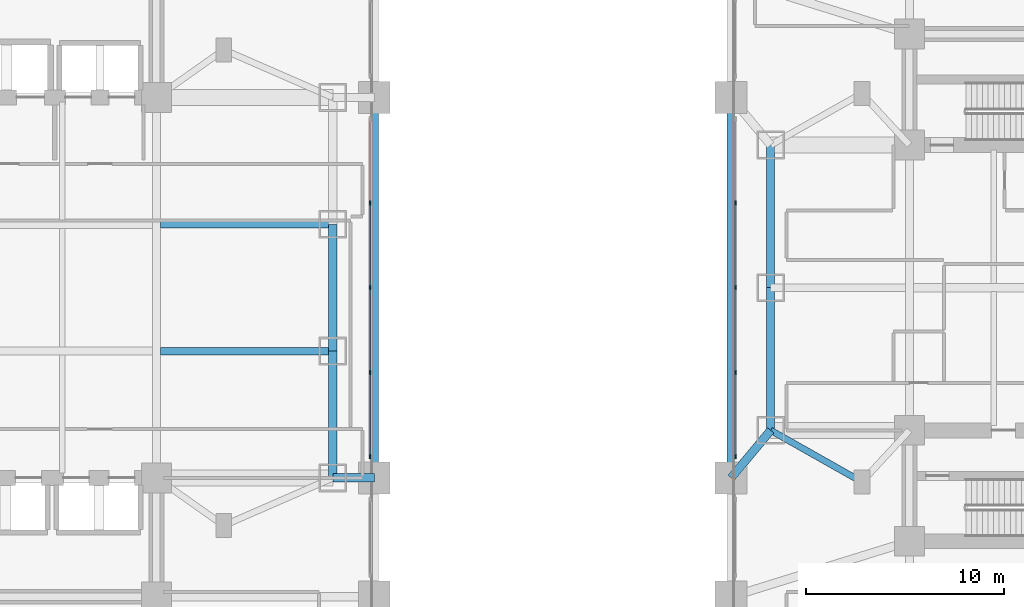
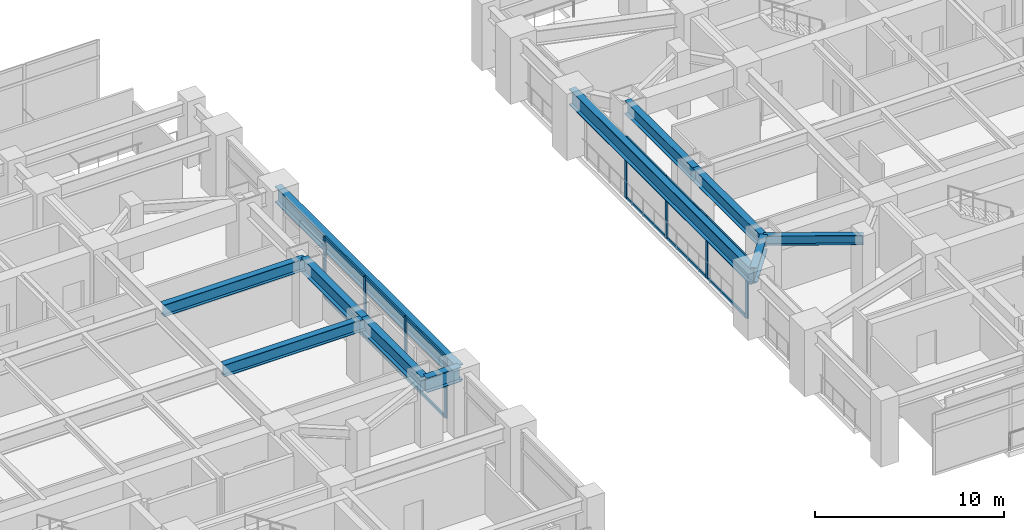
# One storey, part 5 of 31: 20 members, 11 beams, 2 elements without a shape of their own.
"""IFC4 building model written with IfcOpenShell, lengths in metres."""

import ifcopenshell
import ifcopenshell.guid

model = None  # the IFC model being written
_history = None  # IfcOwnerHistory: only IFC2X3 demands one
_inside = {}  # id of a spatial element -> (the spatial element, [elements in it])
_under = {}  # id of a project, library or spatial element -> (it, [spatial elements below it])
_declared = {}  # id of a project -> (the project, [libraries it declares])
_typed = {}  # id of a type object -> (the type object, [elements of that type])
_made_of = {}  # id of a material, layer set ... -> (it, [elements and type objects made of it])


def new_model(schema):
    """Start an empty IFC model of exactly this schema.

    Asked for "IFC4X3", IfcOpenShell would pick the latest addendum, in which some entities
    have other attributes; the version numbers below select the first issue.
    IFC2X3 requires an IfcOwnerHistory on every rooted entity: one is made here for all.
    """
    global model, _history
    if schema == "IFC4X3":
        model = ifcopenshell.file(schema_version=(4, 3, 0, 0))
    else:
        model = ifcopenshell.file(schema=schema)
    _inside.clear()
    _under.clear()
    _declared.clear()
    _typed.clear()
    _made_of.clear()
    _history = None
    if model.schema == "IFC2X3":
        org = make("IfcOrganization", Name="unknown")
        user = make(
            "IfcPersonAndOrganization",
            ThePerson=make("IfcPerson", FamilyName="unknown"),
            TheOrganization=org,
        )
        app = make(
            "IfcApplication",
            ApplicationDeveloper=org,
            Version="unknown",
            ApplicationFullName="unknown",
            ApplicationIdentifier="unknown",
        )
        _history = make(
            "IfcOwnerHistory",
            OwningUser=user,
            OwningApplication=app,
            ChangeAction="ADDED",
            CreationDate=0,
        )
    return model


def make(cls, **values):
    """One entity of the class cls with the attributes given. An attribute that is None is left unset."""
    return model.create_entity(
        cls, **{name: value for name, value in values.items() if value is not None}
    )


def rooted(cls, **values):
    """An entity with a GlobalId (a new one), such as an element, a storey or a relation."""
    return make(cls, GlobalId=ifcopenshell.guid.new(), OwnerHistory=_history, **values)


def si_unit(unit_type, name, prefix=None):
    """IfcSIUnit, for example si_unit("LENGTHUNIT", "METRE", prefix="MILLI")."""
    return make("IfcSIUnit", UnitType=unit_type, Prefix=prefix, Name=name)


def assignment(units):
    """IfcUnitAssignment: the units of a project."""
    return None if units is None else make("IfcUnitAssignment", Units=units)


def point(xyz):
    """IfcCartesianPoint."""
    return None if xyz is None else make("IfcCartesianPoint", Coordinates=xyz)


def direction(xyz):
    """IfcDirection."""
    return None if xyz is None else make("IfcDirection", DirectionRatios=xyz)


def frame(location, z_axis=None, x_axis=None):
    """IfcAxis2Placement3D, a coordinate frame: its origin and axes. An axis left out is left unset."""
    return make(
        "IfcAxis2Placement3D",
        Location=point(location),
        Axis=direction(z_axis),
        RefDirection=direction(x_axis),
    )


def frame_2d(location, x_axis=None):
    """IfcAxis2Placement2D, a coordinate frame in the plane: its origin and x axis."""
    return make(
        "IfcAxis2Placement2D", Location=point(location), RefDirection=direction(x_axis)
    )


def origin():
    """The frame at (0, 0, 0) with its axes left unset."""
    return frame((0.0, 0.0, 0.0))


def origin_2d():
    """The frame at (0, 0) in the plane with its x axis left unset."""
    return frame_2d((0.0, 0.0))


def place(relative_to, where):
    """IfcLocalPlacement: puts the frame where relative to a parent placement (None: the world)."""
    return make(
        "IfcLocalPlacement", PlacementRelTo=relative_to, RelativePlacement=where
    )


def context(
    kind, dimensions, precision=None, world=None, true_north=None, identifier=None
):
    """IfcGeometricRepresentationContext, for example the 3D "Model" context."""
    return make(
        "IfcGeometricRepresentationContext",
        ContextIdentifier=identifier,
        ContextType=kind,
        CoordinateSpaceDimension=dimensions,
        Precision=precision,
        WorldCoordinateSystem=world,
        TrueNorth=true_north,
    )


def subcontext(parent, identifier, kind, view, scale=None):
    """IfcGeometricRepresentationSubContext, for example "Body" below "Model"."""
    return make(
        "IfcGeometricRepresentationSubContext",
        ContextIdentifier=identifier,
        ContextType=kind,
        ParentContext=parent,
        TargetScale=scale,
        TargetView=view,
    )


def project(units=None, contexts=None):
    """IfcProject with its units and contexts."""
    return rooted(
        "IfcProject",
        Name="project",
        RepresentationContexts=contexts,
        UnitsInContext=assignment(units),
    )


def spatial(cls, under=None, at=None, **own):
    """A site, building, storey or space (cls), placed at a placement, below another one or the project."""
    s = rooted(cls, ObjectPlacement=at, **own)
    if under is not None:
        _under.setdefault(under.id(), (under, []))[1].append(s)
    return s


def profile(cls, at=None, kind="AREA", **sizes):
    """A parametric profile (cls). Its sizes go by their IFC names, for example OverallWidth=200.0."""
    return make(cls, ProfileType=kind, Position=at, **sizes)


def rectangle(**sizes):
    """IfcRectangleProfileDef."""
    return profile("IfcRectangleProfileDef", **sizes)


def i_section(**sizes):
    """IfcIShapeProfileDef."""
    return profile("IfcIShapeProfileDef", **sizes)


def extrude(swept, where, along, depth):
    """IfcExtrudedAreaSolid: the profile swept, set in the frame where, extruded along a direction by depth."""
    return make(
        "IfcExtrudedAreaSolid",
        SweptArea=swept,
        Position=where,
        ExtrudedDirection=direction(along),
        Depth=depth,
    )


def shape(context_of_items, identifier, shape_type, items):
    """IfcShapeRepresentation: the items that make up one representation, for example the "Body"."""
    return make(
        "IfcShapeRepresentation",
        ContextOfItems=context_of_items,
        RepresentationIdentifier=identifier,
        RepresentationType=shape_type,
        Items=items,
    )


def material(Name=None, Category=None):
    """IfcMaterial."""
    return make("IfcMaterial", Name=Name, Category=Category)


def material_profile(
    of_material, cross_section, Name=None, Category=None, Priority=None
):
    """IfcMaterialProfile: a cross section and its material."""
    return make(
        "IfcMaterialProfile",
        Name=Name,
        Material=of_material,
        Profile=cross_section,
        Priority=Priority,
        Category=Category,
    )


def profile_set(profiles, Name=None, composite=None):
    """IfcMaterialProfileSet."""
    return make(
        "IfcMaterialProfileSet",
        Name=Name,
        MaterialProfiles=profiles,
        CompositeProfile=composite,
    )


def made_of(thing, what):
    """Note that an element or type object is made of a material, layer set ...; save() writes the relation."""
    if what is not None:
        _made_of.setdefault(what.id(), (what, []))[1].append(thing)
    return thing


def type_object(cls, material=None, **own):
    """A type object (cls), such as IfcWallType, which elements share."""
    return made_of(rooted(cls, **own), material)


def element(
    cls,
    number,
    at=None,
    inside=None,
    cuts=None,
    type_object=None,
    material=None,
    context=None,
    identifier="Body",
    shape_type=None,
    held_by="IfcProductDefinitionShape",
    body=None,
    shapes=None,
    **own,
):
    """One element of the class cls, such as IfcWall. Its Tag is "e" and its number.

    at: its placement. inside: the storey or other place that contains it. cuts: it is an
    opening in that element (IfcRelVoidsElement). A single representation is given by context,
    identifier, shape_type and body (its items); several are given by shapes. held_by: the class
    of the entity that holds the representations. save() writes the other relations.
    """
    e = rooted(cls, Tag="e%d" % number, ObjectPlacement=at, **own)
    if body is not None:
        shapes = [shape(context, identifier, shape_type, body)]
    if shapes is not None:
        e.Representation = make(held_by, Representations=shapes)
    if inside is not None:
        _inside.setdefault(inside.id(), (inside, []))[1].append(e)
    if cuts is not None:
        rooted(
            "IfcRelVoidsElement", RelatingBuildingElement=cuts, RelatedOpeningElement=e
        )
    if type_object is not None:
        _typed.setdefault(type_object.id(), (type_object, []))[1].append(e)
    return made_of(e, material)


def aggregate(whole, parts):
    """IfcRelAggregates: a whole, such as a stair, and the parts it consists of."""
    return rooted("IfcRelAggregates", RelatingObject=whole, RelatedObjects=parts)


def save(model, path):
    """Write the relations noted so far, then the file.

    IfcRelAggregates (storeys below a building ...), IfcRelContainedInSpatialStructure (elements
    in a storey), IfcRelDefinesByType, IfcRelAssociatesMaterial and IfcRelDeclares: one each for
    every whole, place, type object, material and project.
    """
    for whole, parts in _under.values():
        aggregate(whole, parts)
    for where, things in _inside.values():
        rooted(
            "IfcRelContainedInSpatialStructure",
            RelatedElements=things,
            RelatingStructure=where,
        )
    for kind, things in _typed.values():
        rooted("IfcRelDefinesByType", RelatedObjects=things, RelatingType=kind)
    for what, things in _made_of.values():
        rooted("IfcRelAssociatesMaterial", RelatedObjects=things, RelatingMaterial=what)
    for by, libraries in _declared.values():
        rooted("IfcRelDeclares", RelatingContext=by, RelatedDefinitions=libraries)
    model.write(path)


model = new_model("IFC4")

# Units and contexts
model_context = context("Model", 3, precision=1e-05, world=origin(), true_north=direction((0.0, 1.0)))
body_context = subcontext(model_context, "Body", "Model", "MODEL_VIEW")
ifc_project = project(units=[si_unit("LENGTHUNIT", "METRE"), si_unit("AREAUNIT", "SQUARE_METRE"), si_unit("VOLUMEUNIT", "CUBIC_METRE"), si_unit("PLANEANGLEUNIT", "RADIAN"), si_unit("MASSUNIT", "GRAM", prefix="KILO")], contexts=[model_context])

# Site, building, storey
site_placement = place(None, origin())
site = spatial("IfcSite", under=ifc_project, at=site_placement, CompositionType="ELEMENT")
building_placement = place(site_placement, origin())
building = spatial("IfcBuilding", under=site, at=building_placement, Name="Mirazonda Arch Towers", CompositionType="ELEMENT")
storey_placement = place(building_placement, frame((0.0, 0.0, 5.199951171875)))
storey = spatial("IfcBuildingStorey", under=building, at=storey_placement, Name="L01", CompositionType="ELEMENT", Elevation=5.199951171875)

# Beams
ifc_material_1 = material(Name="Steel ASTM A992 Grade 50", Category="steel")
ifc_material_profile_1 = material_profile(ifc_material_1, i_section(OverallWidth=0.39990234375, OverallDepth=0.85595703125, WebThickness=0.018310546875, FlangeThickness=0.029296875, at=origin_2d()), Name="W33X201")
ifc_profile_set_1 = profile_set([ifc_material_profile_1], Name="Steel ASTM A992 Grade 50")
beam_type_1 = type_object("IfcBeamType", Name="BM-EXT-W33X201", PredefinedType="USERDEFINED", material=ifc_profile_set_1)
for number, where, z_axis, x_axis, name in (
    (1, (61.0, 20.800048828125, 3.552001953125), (0.0, 1.0, 0.0), (-1.0, 0.0, 0.0), "L01 Floor Beam BM-T2-L01-NS-W-20"),
    (2, (61.0, 28.0, 3.552001953125), (0.0, 1.0, 0.0), (-1.0, 0.0, 0.0), "L01 Floor Beam BM-T2-L01-NS-W-28"),
):
    element("IfcBeam", number, at=place(storey_placement, frame(where, z_axis=z_axis, x_axis=x_axis)), inside=storey, type_object=beam_type_1, Name=name, ObjectType="GIRDER", PredefinedType="USERDEFINED", context=body_context, shape_type="SweptSolid", body=[
        extrude(i_section(OverallWidth=0.39990234375, OverallDepth=0.85595703125, WebThickness=0.018310546875, FlangeThickness=0.029296875, at=origin_2d()), origin(), (0.0, 0.0, 1.0), 7.199951171875),
    ])
ifc_material_profile_2 = material_profile(ifc_material_1, i_section(OverallWidth=0.41796875, OverallDepth=0.927001953125, WebThickness=0.019287109375, FlangeThickness=0.031982421875, at=origin_2d()), Name="W36X231")
ifc_profile_set_2 = profile_set([ifc_material_profile_2], Name="Steel ASTM A992 Grade 50")
beam_type_2 = type_object("IfcBeamType", Name="BM-EXT-W36X231", PredefinedType="USERDEFINED", material=ifc_profile_set_2)
beam_1_placement = place(storey_placement, frame((38.89990234375, 18.39990234375, 3.5166015625), z_axis=(0.0, 1.0, 0.0), x_axis=(-1.0, 0.0, 0.0)))
element("IfcBeam", 3, at=beam_1_placement, inside=storey, type_object=beam_type_2, Name="L01 Floor Beam BM-T1-L01-NS-E-18", ObjectType="GIRDER", PredefinedType="USERDEFINED", context=body_context, shape_type="SweptSolid", body=[
    extrude(i_section(OverallWidth=0.41796875, OverallDepth=0.927001953125, WebThickness=0.019287109375, FlangeThickness=0.031982421875, at=origin_2d()), origin(), (0.0, 0.0, 1.0), 6.400146484375),
])
beam_2_placement = place(storey_placement, frame((38.89990234375, 24.800048828125, 3.5166015625), z_axis=(0.0, 1.0, 0.0), x_axis=(-1.0, 0.0, 0.0)))
element("IfcBeam", 4, at=beam_2_placement, inside=storey, type_object=beam_type_2, Name="L01 Floor Beam BM-T1-L01-NS-E-24", ObjectType="GIRDER", PredefinedType="USERDEFINED", context=body_context, shape_type="SweptSolid", body=[
    extrude(i_section(OverallWidth=0.41796875, OverallDepth=0.927001953125, WebThickness=0.019287109375, FlangeThickness=0.031982421875, at=origin_2d()), origin(), (0.0, 0.0, 1.0), 6.39990234375),
])
ifc_material_profile_3 = material_profile(ifc_material_1, i_section(OverallWidth=0.419921875, OverallDepth=1.0400390625, WebThickness=0.031005859375, FlangeThickness=0.055908203125, at=origin_2d()), Name="W40X397")
ifc_profile_set_3 = profile_set([ifc_material_profile_3], Name="Steel ASTM A992 Grade 50")
beam_type_3 = type_object("IfcBeamType", Name="BM-EXT-W40X397", PredefinedType="USERDEFINED", material=ifc_profile_set_3)
for number, where, z_axis, x_axis, name in (
    (5, (41.0, 18.39990234375, 3.4599609375), (0.0, 1.0, 0.0), (-1.0, 0.0, 0.0), "L01 Floor Beam BM-POD-L01-PA-WL2"),
    (6, (59.0, 18.39990234375, 3.4599609375), (0.0, 1.0, 0.0), (-1.0, 0.0, 0.0), "L01 Floor Beam BM-POD-L01-PA-EL2"),
):
    element("IfcBeam", number, at=place(storey_placement, frame(where, z_axis=z_axis, x_axis=x_axis)), inside=storey, type_object=beam_type_3, Name=name, ObjectType="GIRDER", PredefinedType="USERDEFINED", context=body_context, shape_type="SweptSolid", body=[
        extrude(i_section(OverallWidth=0.419921875, OverallDepth=1.0400390625, WebThickness=0.031005859375, FlangeThickness=0.055908203125, at=origin_2d()), origin(), (0.0, 0.0, 1.0), 19.2001953125),
    ])
ifc_material_profile_4 = material_profile(ifc_material_1, i_section(OverallWidth=0.324951171875, OverallDepth=0.615966796875, WebThickness=0.013916015625, FlangeThickness=0.021484375, at=origin_2d()), Name="W24X117")
ifc_profile_set_4 = profile_set([ifc_material_profile_4], Name="Steel ASTM A992 Grade 50")
beam_type_4 = type_object("IfcBeamType", Name="BM-INT-W24X117", PredefinedType="BEAM", material=ifc_profile_set_4)
beam_3_placement = place(storey_placement, frame((65.60009765625, 18.199951171875, 3.672119140625), z_axis=(-0.870559396632, 0.492063346467, 0.0), x_axis=(-0.492063346467, -0.870559396632, 0.0)))
element("IfcBeam", 7, at=beam_3_placement, inside=storey, type_object=beam_type_4, Name="L01 Floor Beam BM-T2-L01-PL-SW2", PredefinedType="BEAM", context=body_context, shape_type="SweptSolid", body=[
    extrude(i_section(OverallWidth=0.324951171875, OverallDepth=0.615966796875, WebThickness=0.013916015625, FlangeThickness=0.021484375, at=origin_2d()), origin(), (0.0, 0.0, 1.0), 5.2841796875),
])
ifc_material_profile_5 = material_profile(ifc_material_1, i_section(OverallWidth=0.381103515625, OverallDepth=0.77294921875, WebThickness=0.0166015625, FlangeThickness=0.027099609375, at=origin_2d()), Name="W30X173")
ifc_profile_set_5 = profile_set([ifc_material_profile_5], Name="Steel ASTM A992 Grade 50")
beam_type_5 = type_object("IfcBeamType", Name="BM-INT-W30X173", PredefinedType="USERDEFINED", material=ifc_profile_set_5)
for number, where, z_axis, x_axis, name in (
    (8, (30.2099609375, 24.800048828125, 3.593505859375), (1.0, 0.0, 0.0), (0.0, 1.0, 0.0), "L01 Floor Beam BM-T1-L01-GE2"),
    (9, (30.2099609375, 31.199951171875, 3.593505859375), (1.0, 0.0, 0.0), (0.0, 1.0, 0.0), "L01 Floor Beam BM-T1-L01-GE3"),
):
    element("IfcBeam", number, at=place(storey_placement, frame(where, z_axis=z_axis, x_axis=x_axis)), inside=storey, type_object=beam_type_5, Name=name, ObjectType="GIRDER", PredefinedType="USERDEFINED", context=body_context, shape_type="SweptSolid", body=[
        extrude(i_section(OverallWidth=0.381103515625, OverallDepth=0.77294921875, WebThickness=0.0166015625, FlangeThickness=0.027099609375, at=origin_2d()), origin(), (0.0, 0.0, 1.0), 8.68994140625),
    ])
ifc_material_profile_6 = material_profile(ifc_material_1, i_section(OverallWidth=0.423095703125, OverallDepth=0.947998046875, WebThickness=0.02392578125, FlangeThickness=0.042724609375, at=origin_2d()), Name="W36X302")
ifc_profile_set_6 = profile_set([ifc_material_profile_6], Name="Steel ASTM A992 Grade 50")
beam_type_6 = type_object("IfcBeamType", Name="BM-INT-W36X302", PredefinedType="USERDEFINED", material=ifc_profile_set_6)
beam_4_placement = place(storey_placement, frame((38.89990234375, 18.39990234375, 3.506103515625), z_axis=(1.0, 0.0, 0.0), x_axis=(0.0, 1.0, 0.0)))
element("IfcBeam", 10, at=beam_4_placement, inside=storey, type_object=beam_type_6, Name="L01 Floor Beam BM-POD-L01-PA-W2", ObjectType="GIRDER", PredefinedType="USERDEFINED", context=body_context, shape_type="SweptSolid", body=[
    extrude(i_section(OverallWidth=0.423095703125, OverallDepth=0.947998046875, WebThickness=0.02392578125, FlangeThickness=0.042724609375, at=origin_2d()), origin(), (0.0, 0.0, 1.0), 2.10009765625),
])
beam_5_placement = place(storey_placement, frame((59.0, 18.39990234375, 3.506103515625), z_axis=(0.640161340286, 0.76824049516, 0.0), x_axis=(-0.76824049516, 0.640161340286, 0.0)))
element("IfcBeam", 11, at=beam_5_placement, inside=storey, type_object=beam_type_6, Name="L01 Floor Beam BM-POD-L01-PA-E2", ObjectType="GIRDER", PredefinedType="USERDEFINED", context=body_context, shape_type="SweptSolid", body=[
    extrude(i_section(OverallWidth=0.423095703125, OverallDepth=0.947998046875, WebThickness=0.02392578125, FlangeThickness=0.042724609375, at=origin_2d()), origin(), (0.0, 0.0, 1.0), 3.124267578125),
])

# Curtain wall, members
ifc_material_2 = material(Name="Anodised Aluminium and Low-E Glass", Category="aluminium")
curtain_wall_type = type_object("IfcCurtainWallType", Name="CW-ARCH-GLAZE", PredefinedType="NOTDEFINED", material=ifc_material_2)
curtain_wall_1_placement = place(storey_placement, origin())
curtain_wall_1 = element("IfcCurtainWall", 12, at=curtain_wall_1_placement, inside=storey, type_object=curtain_wall_type, Name="L01 Curtain Wall CW-L01-AW-S2", PredefinedType="NOTDEFINED")
ifc_material_3 = material(Name="Anodised Aluminium Alloy", Category="aluminium")
ifc_material_profile_7 = material_profile(ifc_material_3, rectangle(XDim=0.090087890625, YDim=0.219970703125, at=origin_2d()), Name="ALU-MULL-90x220")
ifc_profile_set_7 = profile_set([ifc_material_profile_7], Name="Anodised Aluminium Alloy")
member_type_1 = type_object("IfcMemberType", Name="MULL-CW-ARCH-GLAZE", PredefinedType="MULLION", material=ifc_profile_set_7)
member_1_placement = place(storey_placement, frame((40.780029296875, 32.280029296875, 0.0), z_axis=(0.0, 0.0, 1.0), x_axis=(1.0, 0.0, 0.0)))
member_1 = element("IfcMember", 13, at=member_1_placement, type_object=member_type_1, Name="CW-106 mullion 2", PredefinedType="MULLION", context=body_context, shape_type="SweptSolid", body=[
    extrude(rectangle(XDim=0.090087890625, YDim=0.219970703125, at=origin_2d()), origin(), (0.0, 0.0, 1.0), 3.9599609375),
])
member_2_placement = place(storey_placement, frame((40.780029296875, 28.0, 0.0), z_axis=(0.0, 0.0, 1.0), x_axis=(1.0, 0.0, 0.0)))
member_2 = element("IfcMember", 14, at=member_2_placement, type_object=member_type_1, Name="CW-106 mullion 3", PredefinedType="MULLION", context=body_context, shape_type="SweptSolid", body=[
    extrude(rectangle(XDim=0.090087890625, YDim=0.219970703125, at=origin_2d()), origin(), (0.0, 0.0, 1.0), 3.9599609375),
])
member_3_placement = place(storey_placement, frame((40.780029296875, 23.719970703125, 0.0), z_axis=(0.0, 0.0, 1.0), x_axis=(1.0, 0.0, 0.0)))
member_3 = element("IfcMember", 15, at=member_3_placement, type_object=member_type_1, Name="CW-106 mullion 4", PredefinedType="MULLION", context=body_context, shape_type="SweptSolid", body=[
    extrude(rectangle(XDim=0.090087890625, YDim=0.219970703125, at=origin_2d()), origin(), (0.0, 0.0, 1.0), 3.9599609375),
])
member_4_placement = place(storey_placement, frame((40.780029296875, 19.485107421875, 0.0), z_axis=(0.0, 0.0, 1.0), x_axis=(1.0, 0.0, 0.0)))
member_4 = element("IfcMember", 16, at=member_4_placement, type_object=member_type_1, Name="CW-106 mullion 5", PredefinedType="MULLION", context=body_context, shape_type="SweptSolid", body=[
    extrude(rectangle(XDim=0.090087890625, YDim=0.219970703125, at=origin_2d()), origin(), (0.0, 0.0, 1.0), 3.9599609375),
])

curtain_wall_2_placement = place(storey_placement, origin())
curtain_wall_2 = element("IfcCurtainWall", 17, at=curtain_wall_2_placement, inside=storey, type_object=curtain_wall_type, Name="L01 Curtain Wall CW-L01-AE-S3", PredefinedType="NOTDEFINED")
member_5_placement = place(storey_placement, frame((59.219970703125, 19.485107421875, 0.0), z_axis=(0.0, 0.0, 1.0), x_axis=(-1.0, 0.0, 0.0)))
member_5 = element("IfcMember", 18, at=member_5_placement, type_object=member_type_1, Name="CW-106 mullion 1", PredefinedType="MULLION", context=body_context, shape_type="SweptSolid", body=[
    extrude(rectangle(XDim=0.090087890625, YDim=0.219970703125, at=origin_2d()), origin(), (0.0, 0.0, 1.0), 3.9599609375),
])
member_6_placement = place(storey_placement, frame((59.219970703125, 23.719970703125, 0.0), z_axis=(0.0, 0.0, 1.0), x_axis=(-1.0, 0.0, 0.0)))
member_6 = element("IfcMember", 19, at=member_6_placement, type_object=member_type_1, Name="CW-106 mullion 2", PredefinedType="MULLION", context=body_context, shape_type="SweptSolid", body=[
    extrude(rectangle(XDim=0.090087890625, YDim=0.219970703125, at=origin_2d()), origin(), (0.0, 0.0, 1.0), 3.9599609375),
])
member_7_placement = place(storey_placement, frame((59.219970703125, 28.0, 0.0), z_axis=(0.0, 0.0, 1.0), x_axis=(-1.0, 0.0, 0.0)))
member_7 = element("IfcMember", 20, at=member_7_placement, type_object=member_type_1, Name="CW-106 mullion 3", PredefinedType="MULLION", context=body_context, shape_type="SweptSolid", body=[
    extrude(rectangle(XDim=0.090087890625, YDim=0.219970703125, at=origin_2d()), origin(), (0.0, 0.0, 1.0), 3.9599609375),
])
member_8_placement = place(storey_placement, frame((59.219970703125, 32.280029296875, 0.0), z_axis=(0.0, 0.0, 1.0), x_axis=(-1.0, 0.0, 0.0)))
member_8 = element("IfcMember", 21, at=member_8_placement, type_object=member_type_1, Name="CW-106 mullion 4", PredefinedType="MULLION", context=body_context, shape_type="SweptSolid", body=[
    extrude(rectangle(XDim=0.090087890625, YDim=0.219970703125, at=origin_2d()), origin(), (0.0, 0.0, 1.0), 3.9599609375),
])

# Member
ifc_material_profile_8 = material_profile(ifc_material_3, rectangle(XDim=0.090087890625, YDim=0.199951171875, at=origin_2d()), Name="ALU-TRAN-90x200")
ifc_profile_set_8 = profile_set([ifc_material_profile_8], Name="Anodised Aluminium Alloy")
member_type_2 = type_object("IfcMemberType", Name="TRAN-CW-ARCH-GLAZE", PredefinedType="USERDEFINED", material=ifc_profile_set_8)
member_9_placement = place(storey_placement, frame((40.780029296875, 32.235107421875, 0.045166015625), z_axis=(0.0, -1.0, 0.0), x_axis=(1.0, 0.0, 0.0)))
member_9 = element("IfcMember", 22, at=member_9_placement, type_object=member_type_2, Name="CW-106 transom 2.1", ObjectType="TRANSOM", PredefinedType="USERDEFINED", context=body_context, shape_type="SweptSolid", body=[
    extrude(rectangle(XDim=0.090087890625, YDim=0.199951171875, at=origin_2d()), origin(), (0.0, 0.0, 1.0), 4.190185546875),
])

member_10_placement = place(storey_placement, frame((40.780029296875, 32.235107421875, 3.9150390625), z_axis=(0.0, -1.0, 0.0), x_axis=(1.0, 0.0, 0.0)))
member_10 = element("IfcMember", 23, at=member_10_placement, type_object=member_type_2, Name="CW-106 transom 2.2", ObjectType="TRANSOM", PredefinedType="USERDEFINED", context=body_context, shape_type="SweptSolid", body=[
    extrude(rectangle(XDim=0.090087890625, YDim=0.199951171875, at=origin_2d()), origin(), (0.0, 0.0, 1.0), 4.190185546875),
])

member_11_placement = place(storey_placement, frame((40.780029296875, 27.955078125, 0.045166015625), z_axis=(0.0, -1.0, 0.0), x_axis=(1.0, 0.0, 0.0)))
member_11 = element("IfcMember", 24, at=member_11_placement, type_object=member_type_2, Name="CW-106 transom 3.1", ObjectType="TRANSOM", PredefinedType="USERDEFINED", context=body_context, shape_type="SweptSolid", body=[
    extrude(rectangle(XDim=0.090087890625, YDim=0.199951171875, at=origin_2d()), origin(), (0.0, 0.0, 1.0), 4.190185546875),
])

member_12_placement = place(storey_placement, frame((40.780029296875, 27.955078125, 3.9150390625), z_axis=(0.0, -1.0, 0.0), x_axis=(1.0, 0.0, 0.0)))
member_12 = element("IfcMember", 25, at=member_12_placement, type_object=member_type_2, Name="CW-106 transom 3.2", ObjectType="TRANSOM", PredefinedType="USERDEFINED", context=body_context, shape_type="SweptSolid", body=[
    extrude(rectangle(XDim=0.090087890625, YDim=0.199951171875, at=origin_2d()), origin(), (0.0, 0.0, 1.0), 4.190185546875),
])

member_13_placement = place(storey_placement, frame((40.780029296875, 23.675048828125, 0.045166015625), z_axis=(0.0, -1.0, 0.0), x_axis=(1.0, 0.0, 0.0)))
member_13 = element("IfcMember", 26, at=member_13_placement, type_object=member_type_2, Name="CW-106 transom 4.1", ObjectType="TRANSOM", PredefinedType="USERDEFINED", context=body_context, shape_type="SweptSolid", body=[
    extrude(rectangle(XDim=0.090087890625, YDim=0.199951171875, at=origin_2d()), origin(), (0.0, 0.0, 1.0), 4.14501953125),
])

member_14_placement = place(storey_placement, frame((40.780029296875, 23.675048828125, 3.9150390625), z_axis=(0.0, -1.0, 0.0), x_axis=(1.0, 0.0, 0.0)))
member_14 = element("IfcMember", 27, at=member_14_placement, type_object=member_type_2, Name="CW-106 transom 4.2", ObjectType="TRANSOM", PredefinedType="USERDEFINED", context=body_context, shape_type="SweptSolid", body=[
    extrude(rectangle(XDim=0.090087890625, YDim=0.199951171875, at=origin_2d()), origin(), (0.0, 0.0, 1.0), 4.14501953125),
])

aggregate(curtain_wall_1, [member_1, member_2, member_3, member_4, member_9, member_10, member_11, member_12, member_13, member_14])

member_15_placement = place(storey_placement, frame((59.219970703125, 19.530029296875, 0.045166015625), z_axis=(0.0, 1.0, 0.0), x_axis=(-1.0, 0.0, 0.0)))
member_15 = element("IfcMember", 28, at=member_15_placement, type_object=member_type_2, Name="CW-106 transom 1.1", ObjectType="TRANSOM", PredefinedType="USERDEFINED", context=body_context, shape_type="SweptSolid", body=[
    extrude(rectangle(XDim=0.090087890625, YDim=0.199951171875, at=origin_2d()), origin(), (0.0, 0.0, 1.0), 4.14501953125),
])

member_16_placement = place(storey_placement, frame((59.219970703125, 19.530029296875, 3.9150390625), z_axis=(0.0, 1.0, 0.0), x_axis=(-1.0, 0.0, 0.0)))
member_16 = element("IfcMember", 29, at=member_16_placement, type_object=member_type_2, Name="CW-106 transom 1.2", ObjectType="TRANSOM", PredefinedType="USERDEFINED", context=body_context, shape_type="SweptSolid", body=[
    extrude(rectangle(XDim=0.090087890625, YDim=0.199951171875, at=origin_2d()), origin(), (0.0, 0.0, 1.0), 4.14501953125),
])

member_17_placement = place(storey_placement, frame((59.219970703125, 23.764892578125, 0.045166015625), z_axis=(0.0, 1.0, 0.0), x_axis=(-1.0, 0.0, 0.0)))
member_17 = element("IfcMember", 30, at=member_17_placement, type_object=member_type_2, Name="CW-106 transom 2.1", ObjectType="TRANSOM", PredefinedType="USERDEFINED", context=body_context, shape_type="SweptSolid", body=[
    extrude(rectangle(XDim=0.090087890625, YDim=0.199951171875, at=origin_2d()), origin(), (0.0, 0.0, 1.0), 4.190185546875),
])

member_18_placement = place(storey_placement, frame((59.219970703125, 23.764892578125, 3.9150390625), z_axis=(0.0, 1.0, 0.0), x_axis=(-1.0, 0.0, 0.0)))
member_18 = element("IfcMember", 31, at=member_18_placement, type_object=member_type_2, Name="CW-106 transom 2.2", ObjectType="TRANSOM", PredefinedType="USERDEFINED", context=body_context, shape_type="SweptSolid", body=[
    extrude(rectangle(XDim=0.090087890625, YDim=0.199951171875, at=origin_2d()), origin(), (0.0, 0.0, 1.0), 4.190185546875),
])

member_19_placement = place(storey_placement, frame((59.219970703125, 28.044921875, 0.045166015625), z_axis=(0.0, 1.0, 0.0), x_axis=(-1.0, 0.0, 0.0)))
member_19 = element("IfcMember", 32, at=member_19_placement, type_object=member_type_2, Name="CW-106 transom 3.1", ObjectType="TRANSOM", PredefinedType="USERDEFINED", context=body_context, shape_type="SweptSolid", body=[
    extrude(rectangle(XDim=0.090087890625, YDim=0.199951171875, at=origin_2d()), origin(), (0.0, 0.0, 1.0), 4.190185546875),
])

member_20_placement = place(storey_placement, frame((59.219970703125, 28.044921875, 3.9150390625), z_axis=(0.0, 1.0, 0.0), x_axis=(-1.0, 0.0, 0.0)))
member_20 = element("IfcMember", 33, at=member_20_placement, type_object=member_type_2, Name="CW-106 transom 3.2", ObjectType="TRANSOM", PredefinedType="USERDEFINED", context=body_context, shape_type="SweptSolid", body=[
    extrude(rectangle(XDim=0.090087890625, YDim=0.199951171875, at=origin_2d()), origin(), (0.0, 0.0, 1.0), 4.190185546875),
])

aggregate(curtain_wall_2, [member_5, member_6, member_7, member_8, member_15, member_16, member_17, member_18, member_19, member_20])

save(model, "model.ifc")
